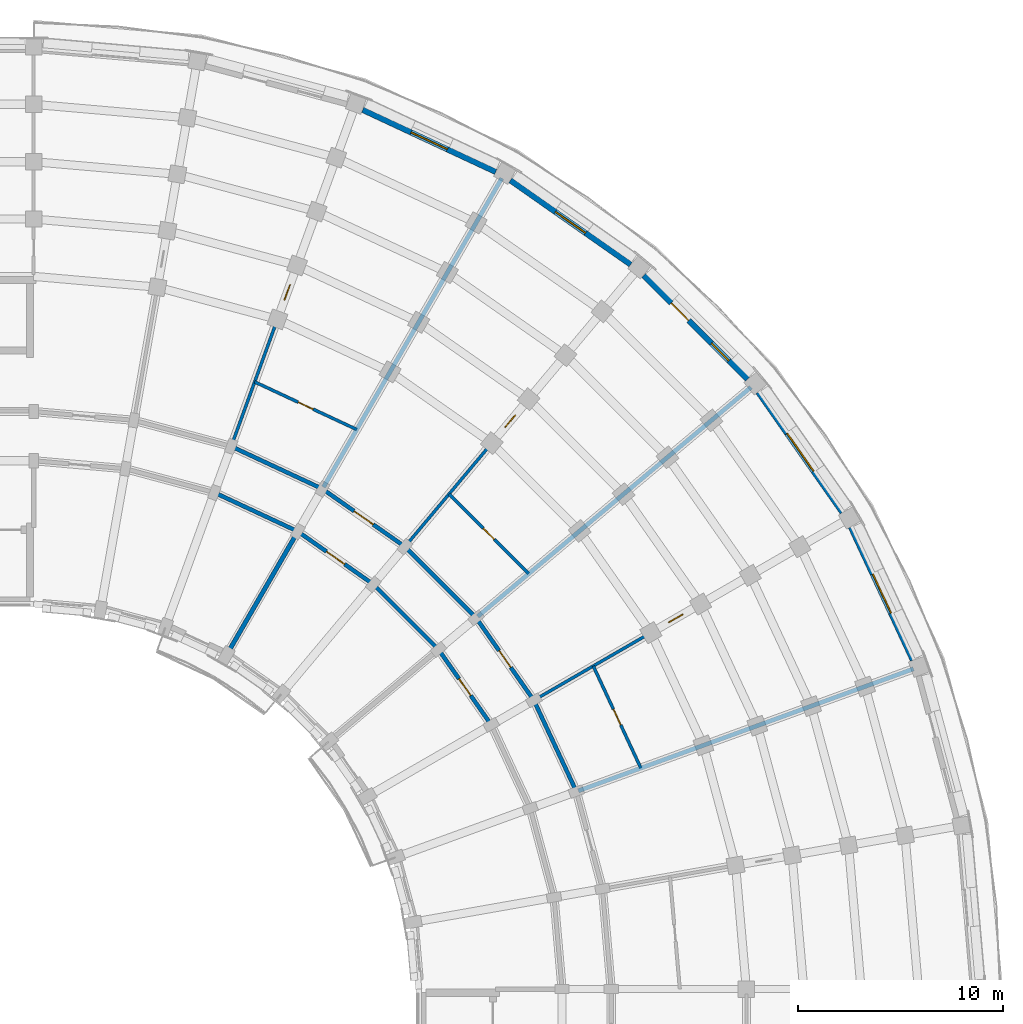
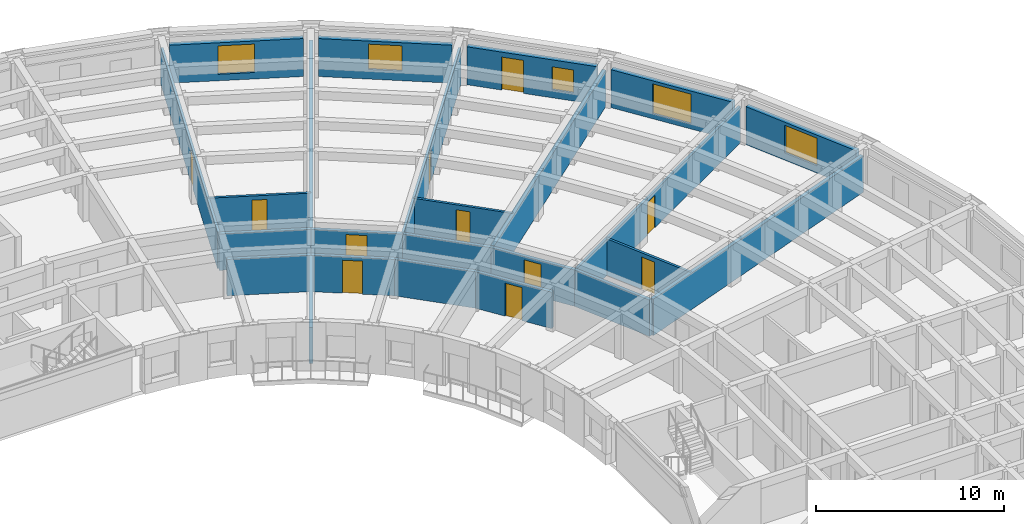
# One storey, part 33 of 54: 24 walls, 11 doors, 5 windows, 16 openings.
"""IFC4 building model written with IfcOpenShell, lengths in metres."""

from ifc_helpers import new_model, si_unit, direction, frame, frame_2d, origin, place, context, subcontext, project, spatial, rectangle, extrude, material, layer, layer_set, type_object, element, fill, save


model = new_model("IFC4")

# Units and contexts
model_context = context("Model", 3, precision=1e-05, world=origin(), true_north=direction((0.0, 1.0)))
body_context = subcontext(model_context, "Body", "Model", "MODEL_VIEW")
ifc_project = project(units=[si_unit("LENGTHUNIT", "METRE"), si_unit("AREAUNIT", "SQUARE_METRE"), si_unit("VOLUMEUNIT", "CUBIC_METRE"), si_unit("PLANEANGLEUNIT", "RADIAN"), si_unit("MASSUNIT", "GRAM", prefix="KILO")], contexts=[model_context])

# Site, building, storey
site_placement = place(None, origin())
site = spatial("IfcSite", under=ifc_project, at=site_placement, CompositionType="ELEMENT")
building_placement = place(site_placement, origin())
building = spatial("IfcBuilding", under=site, at=building_placement, Name="Kiranvali Square Residences", CompositionType="ELEMENT")
storey_placement = place(building_placement, frame((0.0, 0.0, 15.0)))
storey = spatial("IfcBuildingStorey", under=building, at=storey_placement, Name="L04", CompositionType="ELEMENT", Elevation=15.0)

# Walls
ifc_material_1 = material(Name="Autoclaved aerated concrete blockwork masonry", Category="masonry")
ifc_layer_1 = layer(ifc_material_1, 0.199951171875)
ifc_layer_set_1 = layer_set([ifc_layer_1], Name="Autoclaved aerated concrete blockwork masonry")
wall_type_1 = type_object("IfcWallType", Name="WL-COR-200", PredefinedType="STANDARD", material=ifc_layer_set_1)
wall_1_placement = place(storey_placement, frame((128.6240234375, 112.044189453125, 0.0), z_axis=(0.0, 0.0, 1.0), x_axis=(0.906307919131, -0.422617978463, 0.0)))
element("IfcWall", 1, at=wall_1_placement, inside=storey, type_object=wall_type_1, Name="L04 architectural wall WL-L04-B-CCI-2", PredefinedType="STANDARD", context=body_context, shape_type="SweptSolid", body=[
    extrude(rectangle(XDim=4.497314453125, YDim=0.199951171875, at=frame_2d((2.24853515625, 0.0))), origin(), (0.0, 0.0, 1.0), 2.3720703125),
])
wall_2_placement = place(storey_placement, frame((129.445068359375, 114.29931640625, 0.0), z_axis=(0.0, 0.0, 1.0), x_axis=(0.906302381024, -0.422629854778, 0.0)))
element("IfcWall", 2, at=wall_2_placement, inside=storey, type_object=wall_type_1, Name="L04 architectural wall WL-L04-B-CCO-2", PredefinedType="STANDARD", context=body_context, shape_type="SweptSolid", body=[
    extrude(rectangle(XDim=4.915283203125, YDim=0.199951171875, at=frame_2d((2.45751953125, 0.0))), origin(), (0.0, 0.0, 1.0), 2.3720703125),
])

# Wall, opening, door
wall_3_placement = place(storey_placement, frame((132.699951171875, 110.1435546875, 0.0), z_axis=(0.0, 0.0, 1.0), x_axis=(0.819155404658, -0.573571637217, 0.0)))
wall_3 = element("IfcWall", 3, at=wall_3_placement, inside=storey, type_object=wall_type_1, Name="L04 architectural wall WL-L04-B-CCI-3", PredefinedType="STANDARD", context=body_context, shape_type="SweptSolid", body=[
    extrude(rectangle(XDim=4.497314453125, YDim=0.199951171875, at=frame_2d((2.24853515625, 0.0))), origin(), (0.0, 0.0, 1.0), 2.3720703125),
])
opening_1_placement = place(wall_3_placement, frame((1.708740234375, 0.0, 0.0)))
opening_1 = element("IfcOpeningElement", 4, at=opening_1_placement, cuts=wall_3, Name="Opening FD-APT-60C", PredefinedType="OPENING", context=body_context, shape_type="SweptSolid", body=[
    extrude(rectangle(XDim=1.080078125, YDim=2.14990234375, at=frame_2d((0.5400390625, 1.074951171875))), frame((0.0, 0.10986328125, 0.0), z_axis=(0.0, -1.0, 0.0), x_axis=(1.0, 0.0, 0.0)), (0.0, 0.0, 1.0), 0.219970703125),
])
ifc_material_2 = material(Name="Fire-rated acoustic hardwood and mineral-core door assembly", Category="wood")
door_type_1 = type_object("IfcDoorType", Name="DR-APT-1080", OperationType="NOTDEFINED", PredefinedType="DOOR", material=ifc_material_2)
door_1_placement = place(opening_1_placement, origin())
door_1 = element("IfcDoor", 5, at=door_1_placement, inside=storey, type_object=door_type_1, Name="L04 door DR-L04-1237 (DR-APT-1080)", OperationType="SINGLE_SWING_LEFT", OverallHeight=2.14990234375, OverallWidth=1.080078125, PredefinedType="DOOR", context=body_context, shape_type="SweptSolid", body=[
    extrude(rectangle(XDim=1.080078125, YDim=2.14990234375, at=frame_2d((0.5400390625, 1.074951171875))), frame((0.0, 0.02490234375, 0.0), z_axis=(0.0, -1.0, 0.0), x_axis=(1.0, 0.0, 0.0)), (0.0, 0.0, 1.0), 0.050048828125),
])
fill(opening_1, door_1)

wall_4_placement = place(storey_placement, frame((133.89990234375, 112.221923828125, 0.0), z_axis=(0.0, 0.0, 1.0), x_axis=(0.819140911474, -0.573592335331, 0.0)))
wall_4 = element("IfcWall", 6, at=wall_4_placement, inside=storey, type_object=wall_type_1, Name="L04 architectural wall WL-L04-B-CCO-3", PredefinedType="STANDARD", context=body_context, shape_type="SweptSolid", body=[
    extrude(rectangle(XDim=4.915771484375, YDim=0.199951171875, at=frame_2d((2.4580078125, 0.0))), origin(), (0.0, 0.0, 1.0), 2.3720703125),
])
opening_2_placement = place(wall_4_placement, frame((1.8876953125, 0.0, 0.0)))
opening_2 = element("IfcOpeningElement", 7, at=opening_2_placement, cuts=wall_4, Name="Opening FD-APT-60D", PredefinedType="OPENING", context=body_context, shape_type="SweptSolid", body=[
    extrude(rectangle(XDim=1.139892578125, YDim=2.14990234375, at=frame_2d((0.56982421875, 1.074951171875))), frame((0.0, 0.10986328125, 0.0), z_axis=(0.0, -1.0, 0.0), x_axis=(1.0, 0.0, 0.0)), (0.0, 0.0, 1.0), 0.219970703125),
])
door_type_2 = type_object("IfcDoorType", Name="DR-APT-1140", OperationType="NOTDEFINED", PredefinedType="DOOR", material=ifc_material_2)
door_2_placement = place(opening_2_placement, frame((1.139892578125, 0.0, 0.0), z_axis=(0.0, 0.0, 1.0), x_axis=(-1.0, 0.0, 0.0)))
door_2 = element("IfcDoor", 8, at=door_2_placement, inside=storey, type_object=door_type_2, Name="L04 door DR-L04-1230 (DR-APT-1140)", OperationType="SINGLE_SWING_RIGHT", OverallHeight=2.14990234375, OverallWidth=1.139892578125, PredefinedType="DOOR", context=body_context, shape_type="SweptSolid", body=[
    extrude(rectangle(XDim=1.139892578125, YDim=2.14990234375, at=frame_2d((0.56982421875, 1.074951171875))), frame((0.0, 0.02490234375, 0.0), z_axis=(0.0, -1.0, 0.0), x_axis=(1.0, 0.0, 0.0)), (0.0, 0.0, 1.0), 0.050048828125),
])
fill(opening_2, door_2)

# Walls
wall_5_placement = place(storey_placement, frame((136.384033203125, 107.56396484375, 0.0), z_axis=(0.0, 0.0, 1.0), x_axis=(0.707106781187, -0.707106781187, 0.0)))
element("IfcWall", 9, at=wall_5_placement, inside=storey, type_object=wall_type_1, Name="L04 architectural wall WL-L04-B-CCI-4", PredefinedType="STANDARD", context=body_context, shape_type="SweptSolid", body=[
    extrude(rectangle(XDim=4.4970703125, YDim=0.199951171875, at=frame_2d((2.24853515625, 0.0))), origin(), (0.0, 0.0, 1.0), 2.3720703125),
])
wall_6_placement = place(storey_placement, frame((137.926513671875, 109.40234375, 0.0), z_axis=(0.0, 0.0, 1.0), x_axis=(0.707106781187, -0.707106781187, 0.0)))
element("IfcWall", 10, at=wall_6_placement, inside=storey, type_object=wall_type_1, Name="L04 architectural wall WL-L04-B-CCO-4", PredefinedType="STANDARD", context=body_context, shape_type="SweptSolid", body=[
    extrude(rectangle(XDim=4.91552734375, YDim=0.199951171875, at=frame_2d((2.457763671875, 0.0))), origin(), (0.0, 0.0, 1.0), 2.3720703125),
])

# Wall, opening, door
wall_7_placement = place(storey_placement, frame((139.56396484375, 104.384033203125, 0.0), z_axis=(0.0, 0.0, 1.0), x_axis=(0.573571637217, -0.819155404658, 0.0)))
wall_7 = element("IfcWall", 11, at=wall_7_placement, inside=storey, type_object=wall_type_1, Name="L04 architectural wall WL-L04-B-CCI-5", PredefinedType="STANDARD", context=body_context, shape_type="SweptSolid", body=[
    extrude(rectangle(XDim=4.497314453125, YDim=0.199951171875, at=frame_2d((2.24853515625, 0.0))), origin(), (0.0, 0.0, 1.0), 2.3720703125),
])
opening_3_placement = place(wall_7_placement, frame((1.74853515625, 0.0, 0.0)))
opening_3 = element("IfcOpeningElement", 12, at=opening_3_placement, cuts=wall_7, Name="Opening FD-APT-60", PredefinedType="OPENING", context=body_context, shape_type="SweptSolid", body=[
    extrude(rectangle(XDim=1.0, YDim=2.14990234375, at=frame_2d((0.5, 1.074951171875))), frame((0.0, 0.10986328125, 0.0), z_axis=(0.0, -1.0, 0.0), x_axis=(1.0, 0.0, 0.0)), (0.0, 0.0, 1.0), 0.219970703125),
])
door_type_3 = type_object("IfcDoorType", Name="DR-APT-1000", OperationType="NOTDEFINED", PredefinedType="DOOR", material=ifc_material_2)
door_3_placement = place(opening_3_placement, frame((1.0, 0.0, 0.0), z_axis=(0.0, 0.0, 1.0), x_axis=(-1.0, 0.0, 0.0)))
door_3 = element("IfcDoor", 13, at=door_3_placement, inside=storey, type_object=door_type_3, Name="L04 door DR-L04-1238 (DR-APT-1000)", OperationType="SINGLE_SWING_RIGHT", OverallHeight=2.14990234375, OverallWidth=1.0, PredefinedType="DOOR", context=body_context, shape_type="SweptSolid", body=[
    extrude(rectangle(XDim=1.0, YDim=2.14990234375, at=frame_2d((0.5, 1.074951171875))), frame((0.0, 0.02490234375, 0.0), z_axis=(0.0, -1.0, 0.0), x_axis=(1.0, 0.0, 0.0)), (0.0, 0.0, 1.0), 0.050048828125),
])
fill(opening_3, door_3)

wall_8_placement = place(storey_placement, frame((141.40234375, 105.926513671875, 0.0), z_axis=(0.0, 0.0, 1.0), x_axis=(0.573592335331, -0.819140911474, 0.0)))
wall_8 = element("IfcWall", 14, at=wall_8_placement, inside=storey, type_object=wall_type_1, Name="L04 architectural wall WL-L04-B-CCO-5", PredefinedType="STANDARD", context=body_context, shape_type="SweptSolid", body=[
    extrude(rectangle(XDim=4.915771484375, YDim=0.199951171875, at=frame_2d((2.4580078125, 0.0))), origin(), (0.0, 0.0, 1.0), 2.3720703125),
])
opening_4_placement = place(wall_8_placement, frame((1.957763671875, 0.0, 0.0)))
opening_4 = element("IfcOpeningElement", 15, at=opening_4_placement, cuts=wall_8, Name="Opening FD-APT-60", PredefinedType="OPENING", context=body_context, shape_type="SweptSolid", body=[
    extrude(rectangle(XDim=1.0, YDim=2.14990234375, at=frame_2d((0.5, 1.074951171875))), frame((0.0, 0.10986328125, 0.0), z_axis=(0.0, -1.0, 0.0), x_axis=(1.0, 0.0, 0.0)), (0.0, 0.0, 1.0), 0.219970703125),
])
door_4_placement = place(opening_4_placement, frame((1.0, 0.0, 0.0), z_axis=(0.0, 0.0, 1.0), x_axis=(-1.0, 0.0, 0.0)))
door_4 = element("IfcDoor", 16, at=door_4_placement, inside=storey, type_object=door_type_3, Name="L04 door DR-L04-1232 (DR-APT-1000)", OperationType="SINGLE_SWING_RIGHT", OverallHeight=2.14990234375, OverallWidth=1.0, PredefinedType="DOOR", context=body_context, shape_type="SweptSolid", body=[
    extrude(rectangle(XDim=1.0, YDim=2.14990234375, at=frame_2d((0.5, 1.074951171875))), frame((0.0, 0.02490234375, 0.0), z_axis=(0.0, -1.0, 0.0), x_axis=(1.0, 0.0, 0.0)), (0.0, 0.0, 1.0), 0.050048828125),
])
fill(opening_4, door_4)

# Walls
wall_9_placement = place(storey_placement, frame((144.221923828125, 101.89990234375, 0.0), z_axis=(0.0, 0.0, 1.0), x_axis=(0.422629854778, -0.906302381024, 0.0)))
element("IfcWall", 17, at=wall_9_placement, inside=storey, type_object=wall_type_1, Name="L04 architectural wall WL-L04-B-CCO-6", PredefinedType="STANDARD", context=body_context, shape_type="SweptSolid", body=[
    extrude(rectangle(XDim=4.915283203125, YDim=0.199951171875, at=frame_2d((2.45751953125, 0.0))), origin(), (0.0, 0.0, 1.0), 2.3720703125),
])
ifc_layer_2 = layer(ifc_material_1, 0.219970703125)
ifc_layer_set_2 = layer_set([ifc_layer_2], Name="Autoclaved aerated concrete blockwork masonry")
wall_type_2 = type_object("IfcWallType", Name="WL-DEM-220", PredefinedType="STANDARD", material=ifc_layer_set_2)
wall_10_placement = place(storey_placement, frame((129.300048828125, 104.25439453125, 0.0), z_axis=(0.0, 0.0, 1.0), x_axis=(0.499997969693, 0.866026575979, 0.0)))
element("IfcWall", 18, at=wall_10_placement, inside=storey, type_object=wall_type_2, Name="L04 architectural wall WL-L04-B-RADI-3", PredefinedType="STANDARD", context=body_context, shape_type="SweptSolid", body=[
    extrude(rectangle(XDim=6.75, YDim=0.219970703125, at=frame_2d((3.375, 0.0))), origin(), (0.0, 0.0, 1.0), 2.3720703125),
])
for number, where, z_axis, x_axis, name in (
    (19, (133.949951171875, 112.30859375, 0.0), (0.0, 0.0, 1.0), (0.499997843263, 0.866026648973, 0.0), "L04 architectural wall WL-L04-B-RADO-3"),
    (20, (141.47900390625, 105.990966796875, 0.0), (0.0, 0.0, 1.0), (0.766046835987, 0.642784757967, 0.0), "L04 architectural wall WL-L04-B-RADO-5"),
    (21, (146.393310546875, 97.479248046875, 0.0), (0.0, 0.0, 1.0), (0.939691901159, 0.342022120477, 0.0), "L04 architectural wall WL-L04-B-RADO-7"),
):
    element("IfcWall", number, at=place(storey_placement, frame(where, z_axis=z_axis, x_axis=x_axis)), inside=storey, type_object=wall_type_2, Name=name, PredefinedType="STANDARD", context=body_context, shape_type="SweptSolid", body=[
        extrude(rectangle(XDim=17.419921875, YDim=0.219970703125, at=frame_2d((8.7099609375, 0.0))), origin(), (0.0, 0.0, 1.0), 2.3720703125),
    ])

# Wall, opening, window
ifc_material_3 = material(Name="Breathable lime-rendered clay brick masonry", Category="masonry")
ifc_layer_3 = layer(ifc_material_3, 0.27490234375)
ifc_layer_set_3 = layer_set([ifc_layer_3], Name="Breathable lime-rendered clay brick masonry")
wall_type_3 = type_object("IfcWallType", Name="WL-EXT-275", PredefinedType="STANDARD", material=ifc_layer_set_3)
wall_11_placement = place(storey_placement, frame((135.8671875, 130.732177734375, 0.0), z_axis=(0.0, 0.0, 1.0), x_axis=(0.906300636296, -0.422633596215, 0.0)))
wall_11 = element("IfcWall", 22, at=wall_11_placement, inside=storey, type_object=wall_type_3, Name="L04 exterior wall B-L04-CRV-02", PredefinedType="STANDARD", context=body_context, shape_type="SweptSolid", body=[
    extrude(rectangle(XDim=7.164306640625, YDim=0.27490234375, at=frame_2d((3.58203125, 0.0))), origin(), (0.0, 0.0, 1.0), 2.471923828125),
])
opening_5_placement = place(wall_11_placement, frame((2.60693359375, 0.0, 0.422119140625)))
opening_5 = element("IfcOpeningElement", 23, at=opening_5_placement, cuts=wall_11, Name="Opening W-12", PredefinedType="OPENING", context=body_context, shape_type="SweptSolid", body=[
    extrude(rectangle(XDim=1.949951171875, YDim=1.85009765625, at=frame_2d((0.97509765625, 0.925048828125))), frame((0.0, 0.1474609375, 0.0), z_axis=(0.0, -1.0, 0.0), x_axis=(1.0, 0.0, 0.0)), (0.0, 0.0, 1.0), 0.294921875),
])
ifc_material_4 = material(Name="Solar-control low-e double glazing", Category="glass")
window_type_1 = type_object("IfcWindowType", Name="WIN-RES-1950x1850", PartitioningType="DOUBLE_PANEL_VERTICAL", PredefinedType="WINDOW", material=ifc_material_4)
window_1_placement = place(opening_5_placement, origin())
window_1 = element("IfcWindow", 24, at=window_1_placement, inside=storey, type_object=window_type_1, Name="L04 recessed window B-L04-CRV-02", OverallHeight=1.85009765625, OverallWidth=1.949951171875, PartitioningType="DOUBLE_PANEL_VERTICAL", PredefinedType="WINDOW", context=body_context, shape_type="SweptSolid", body=[
    extrude(rectangle(XDim=1.949951171875, YDim=1.85009765625, at=frame_2d((0.97509765625, 0.925048828125))), frame((0.0, 0.030029296875, 0.0), z_axis=(0.0, -1.0, 0.0), x_axis=(1.0, 0.0, 0.0)), (0.0, 0.0, 1.0), 0.06005859375),
])
fill(opening_5, window_1)

wall_12_placement = place(storey_placement, frame((143.078125, 127.289794921875, 0.0), z_axis=(0.0, 0.0, 1.0), x_axis=(0.819161471697, -0.573562972382, 0.0)))
wall_12 = element("IfcWall", 25, at=wall_12_placement, inside=storey, type_object=wall_type_3, Name="L04 exterior wall B-L04-CRV-03", PredefinedType="STANDARD", context=body_context, shape_type="SweptSolid", body=[
    extrude(rectangle(XDim=7.164306640625, YDim=0.27490234375, at=frame_2d((3.58203125, 0.0))), origin(), (0.0, 0.0, 1.0), 2.471923828125),
])
opening_6_placement = place(wall_12_placement, frame((2.68212890625, 0.0, 0.6220703125)))
opening_6 = element("IfcOpeningElement", 26, at=opening_6_placement, cuts=wall_12, Name="Opening W-04", PredefinedType="OPENING", context=body_context, shape_type="SweptSolid", body=[
    extrude(rectangle(XDim=1.800048828125, YDim=1.64990234375, at=frame_2d((0.89990234375, 0.824951171875))), frame((0.0, 0.1474609375, 0.0), z_axis=(0.0, -1.0, 0.0), x_axis=(1.0, 0.0, 0.0)), (0.0, 0.0, 1.0), 0.294921875),
])
window_type_2 = type_object("IfcWindowType", Name="WIN-RES-1800x1650", PartitioningType="DOUBLE_PANEL_VERTICAL", PredefinedType="WINDOW", material=ifc_material_4)
window_2_placement = place(opening_6_placement, origin())
window_2 = element("IfcWindow", 27, at=window_2_placement, inside=storey, type_object=window_type_2, Name="L04 recessed window B-L04-CRV-03", OverallHeight=1.64990234375, OverallWidth=1.800048828125, PartitioningType="DOUBLE_PANEL_VERTICAL", PredefinedType="WINDOW", context=body_context, shape_type="SweptSolid", body=[
    extrude(rectangle(XDim=1.800048828125, YDim=1.64990234375, at=frame_2d((0.89990234375, 0.824951171875))), frame((0.0, 0.030029296875, 0.0), z_axis=(0.0, -1.0, 0.0), x_axis=(1.0, 0.0, 0.0)), (0.0, 0.0, 1.0), 0.06005859375),
])
fill(opening_6, window_2)

# Wall, openings, door, window
wall_13_placement = place(storey_placement, frame((149.581787109375, 122.647705078125, 0.0), z_axis=(0.0, 0.0, 1.0), x_axis=(0.707106781187, -0.707106781187, 0.0)))
wall_13 = element("IfcWall", 28, at=wall_13_placement, inside=storey, type_object=wall_type_3, Name="L04 exterior wall B-L04-CRV-04", PredefinedType="STANDARD", context=body_context, shape_type="SweptSolid", body=[
    extrude(rectangle(XDim=7.164306640625, YDim=0.27490234375, at=frame_2d((3.58203125, 0.0))), origin(), (0.0, 0.0, 1.0), 2.471923828125),
])
opening_7_placement = place(wall_13_placement, frame((4.6904296875, 0.0, 0.52197265625)))
opening_7 = element("IfcOpeningElement", 29, at=opening_7_placement, cuts=wall_13, Name="Opening W-06", PredefinedType="OPENING", context=body_context, shape_type="SweptSolid", body=[
    extrude(rectangle(XDim=1.199951171875, YDim=1.5, at=frame_2d((0.60009765625, 0.75))), frame((0.0, 0.1474609375, 0.0), z_axis=(0.0, -1.0, 0.0), x_axis=(1.0, 0.0, 0.0)), (0.0, 0.0, 1.0), 0.294921875),
])
opening_8_placement = place(wall_13_placement, frame((1.907470703125, 0.0, 0.0)))
opening_8 = element("IfcOpeningElement", 30, at=opening_8_placement, cuts=wall_13, Name="Opening ED-BAL-1", PredefinedType="OPENING", context=body_context, shape_type="SweptSolid", body=[
    extrude(rectangle(XDim=1.199951171875, YDim=2.14990234375, at=frame_2d((0.60009765625, 1.074951171875))), frame((0.0, 0.1474609375, 0.0), z_axis=(0.0, -1.0, 0.0), x_axis=(1.0, 0.0, 0.0)), (0.0, 0.0, 1.0), 0.294921875),
])
ifc_material_5 = material(Name="Anodised bronze aluminium framing", Category="aluminium")
door_type_4 = type_object("IfcDoorType", Name="DR-BAL-1200", OperationType="NOTDEFINED", PredefinedType="DOOR", material=ifc_material_5)
door_5_placement = place(opening_8_placement, origin())
door_5 = element("IfcDoor", 31, at=door_5_placement, inside=storey, type_object=door_type_4, Name="L04 balcony terrace door", OperationType="SINGLE_SWING_RIGHT", OverallHeight=2.14990234375, OverallWidth=1.199951171875, PredefinedType="DOOR", context=body_context, shape_type="SweptSolid", body=[
    extrude(rectangle(XDim=1.199951171875, YDim=2.14990234375, at=frame_2d((0.60009765625, 1.074951171875))), frame((0.0, 0.02490234375, 0.0), z_axis=(0.0, -1.0, 0.0), x_axis=(1.0, 0.0, 0.0)), (0.0, 0.0, 1.0), 0.050048828125),
])
fill(opening_8, door_5)
window_type_3 = type_object("IfcWindowType", Name="WIN-RES-1200x1500", PartitioningType="SINGLE_PANEL", PredefinedType="WINDOW", material=ifc_material_4)
window_3_placement = place(opening_7_placement, origin())
window_3 = element("IfcWindow", 32, at=window_3_placement, inside=storey, type_object=window_type_3, Name="L04 recessed window B-L04-CRV-04", OverallHeight=1.5, OverallWidth=1.199951171875, PartitioningType="SINGLE_PANEL", PredefinedType="WINDOW", context=body_context, shape_type="SweptSolid", body=[
    extrude(rectangle(XDim=1.199951171875, YDim=1.5, at=frame_2d((0.60009765625, 0.75))), frame((0.0, 0.030029296875, 0.0), z_axis=(0.0, -1.0, 0.0), x_axis=(1.0, 0.0, 0.0)), (0.0, 0.0, 1.0), 0.06005859375),
])
fill(opening_7, window_3)

# Wall, opening, window
wall_14_placement = place(storey_placement, frame((155.1806640625, 116.94677734375, 0.0), z_axis=(0.0, 0.0, 1.0), x_axis=(0.573562972382, -0.819161471697, 0.0)))
wall_14 = element("IfcWall", 33, at=wall_14_placement, inside=storey, type_object=wall_type_3, Name="L04 exterior wall B-L04-CRV-05", PredefinedType="STANDARD", context=body_context, shape_type="SweptSolid", body=[
    extrude(rectangle(XDim=7.164306640625, YDim=0.27490234375, at=frame_2d((3.58203125, 0.0))), origin(), (0.0, 0.0, 1.0), 2.471923828125),
])
opening_9_placement = place(wall_14_placement, frame((2.45703125, 0.0, 0.322021484375)))
opening_9 = element("IfcOpeningElement", 34, at=opening_9_placement, cuts=wall_14, Name="Opening W-11", PredefinedType="OPENING", context=body_context, shape_type="SweptSolid", body=[
    extrude(rectangle(XDim=2.25, YDim=1.949951171875, at=frame_2d((1.125, 0.97509765625))), frame((0.0, 0.1474609375, 0.0), z_axis=(0.0, -1.0, 0.0), x_axis=(1.0, 0.0, 0.0)), (0.0, 0.0, 1.0), 0.294921875),
])
window_type_4 = type_object("IfcWindowType", Name="WIN-RES-2250x1950", PartitioningType="TRIPLE_PANEL_VERTICAL", PredefinedType="WINDOW", material=ifc_material_4)
window_4_placement = place(opening_9_placement, origin())
window_4 = element("IfcWindow", 35, at=window_4_placement, inside=storey, type_object=window_type_4, Name="L04 recessed window B-L04-CRV-05", OverallHeight=1.949951171875, OverallWidth=2.25, PartitioningType="TRIPLE_PANEL_VERTICAL", PredefinedType="WINDOW", context=body_context, shape_type="SweptSolid", body=[
    extrude(rectangle(XDim=2.25, YDim=1.949951171875, at=frame_2d((1.125, 0.97509765625))), frame((0.0, 0.030029296875, 0.0), z_axis=(0.0, -1.0, 0.0), x_axis=(1.0, 0.0, 0.0)), (0.0, 0.0, 1.0), 0.06005859375),
])
fill(opening_9, window_4)

wall_15_placement = place(storey_placement, frame((159.704345703125, 110.360107421875, 0.0), z_axis=(0.0, 0.0, 1.0), x_axis=(0.422633596215, -0.906300636296, 0.0)))
wall_15 = element("IfcWall", 36, at=wall_15_placement, inside=storey, type_object=wall_type_3, Name="L04 exterior wall B-L04-CRV-06", PredefinedType="STANDARD", context=body_context, shape_type="SweptSolid", body=[
    extrude(rectangle(XDim=7.164306640625, YDim=0.27490234375, at=frame_2d((3.58203125, 0.0))), origin(), (0.0, 0.0, 1.0), 2.471923828125),
])
opening_10_placement = place(wall_15_placement, frame((2.531982421875, 0.0, 0.471923828125)))
opening_10 = element("IfcOpeningElement", 37, at=opening_10_placement, cuts=wall_15, Name="Opening W-03", PredefinedType="OPENING", context=body_context, shape_type="SweptSolid", body=[
    extrude(rectangle(XDim=2.10009765625, YDim=1.800048828125, at=frame_2d((1.050048828125, 0.89990234375))), frame((0.0, 0.1474609375, 0.0), z_axis=(0.0, -1.0, 0.0), x_axis=(1.0, 0.0, 0.0)), (0.0, 0.0, 1.0), 0.294921875),
])
window_type_5 = type_object("IfcWindowType", Name="WIN-RES-2100x1800", PartitioningType="TRIPLE_PANEL_VERTICAL", PredefinedType="WINDOW", material=ifc_material_4)
window_5_placement = place(opening_10_placement, origin())
window_5 = element("IfcWindow", 38, at=window_5_placement, inside=storey, type_object=window_type_5, Name="L04 recessed window B-L04-CRV-06", OverallHeight=1.800048828125, OverallWidth=2.10009765625, PartitioningType="TRIPLE_PANEL_VERTICAL", PredefinedType="WINDOW", context=body_context, shape_type="SweptSolid", body=[
    extrude(rectangle(XDim=2.10009765625, YDim=1.800048828125, at=frame_2d((1.050048828125, 0.89990234375))), frame((0.0, 0.030029296875, 0.0), z_axis=(0.0, -1.0, 0.0), x_axis=(1.0, 0.0, 0.0)), (0.0, 0.0, 1.0), 0.06005859375),
])
fill(opening_10, window_5)

# Wall, opening, door
ifc_material_6 = material(Name="Acoustic gypsum board drylined partition", Category="gypsum")
ifc_layer_4 = layer(ifc_material_6, 0.14990234375)
ifc_layer_set_4 = layer_set([ifc_layer_4], Name="Acoustic gypsum board drylined partition")
wall_type_4 = type_object("IfcWallType", Name="WL-PRT-150", PredefinedType="PARTITIONING", material=ifc_layer_set_4)
wall_16_placement = place(storey_placement, frame((129.479248046875, 114.393310546875, 0.0), z_axis=(0.0, 0.0, 1.0), x_axis=(0.342022120477, 0.939691901159, 0.0)))
wall_16 = element("IfcWall", 39, at=wall_16_placement, inside=storey, type_object=wall_type_4, Name="L04 architectural wall WL-L04-B-RADO-2", PredefinedType="PARTITIONING", context=body_context, shape_type="SweptSolid", body=[
    extrude(rectangle(XDim=17.419921875, YDim=0.14990234375, at=frame_2d((8.7099609375, 0.0))), origin(), (0.0, 0.0, 1.0), 2.3720703125),
])
opening_11_placement = place(wall_16_placement, frame((7.5, 0.0, 0.0)))
opening_11 = element("IfcOpeningElement", 40, at=opening_11_placement, cuts=wall_16, Name="Opening ID-WET", PredefinedType="OPENING", context=body_context, shape_type="SweptSolid", body=[
    extrude(rectangle(XDim=0.800048828125, YDim=2.10009765625, at=frame_2d((0.39990234375, 1.050048828125))), frame((0.0, 0.0849609375, 0.0), z_axis=(0.0, -1.0, 0.0), x_axis=(1.0, 0.0, 0.0)), (0.0, 0.0, 1.0), 0.169921875),
])
ifc_material_7 = material(Name="Solid seasoned teak hardwood joinery", Category="wood")
door_type_5 = type_object("IfcDoorType", Name="DR-WET-800", OperationType="NOTDEFINED", PredefinedType="DOOR", material=ifc_material_7)
door_6_placement = place(opening_11_placement, frame((0.800048828125, 0.0, 0.0), z_axis=(0.0, 0.0, 1.0), x_axis=(-1.0, 0.0, 0.0)))
door_6 = element("IfcDoor", 41, at=door_6_placement, inside=storey, type_object=door_type_5, Name="L04 door DR-L04-1224 (DR-WET-800)", OperationType="SINGLE_SWING_RIGHT", OverallHeight=2.10009765625, OverallWidth=0.800048828125, PredefinedType="DOOR", context=body_context, shape_type="SweptSolid", body=[
    extrude(rectangle(XDim=0.800048828125, YDim=2.10009765625, at=frame_2d((0.39990234375, 1.050048828125))), frame((0.0, 0.02490234375, 0.0), z_axis=(0.0, -1.0, 0.0), x_axis=(1.0, 0.0, 0.0)), (0.0, 0.0, 1.0), 0.050048828125),
])
fill(opening_11, door_6)

wall_17_placement = place(storey_placement, frame((137.990966796875, 109.47900390625, 0.0), z_axis=(0.0, 0.0, 1.0), x_axis=(0.642784757967, 0.766046835987, 0.0)))
wall_17 = element("IfcWall", 42, at=wall_17_placement, inside=storey, type_object=wall_type_4, Name="L04 architectural wall WL-L04-B-RADO-4", PredefinedType="PARTITIONING", context=body_context, shape_type="SweptSolid", body=[
    extrude(rectangle(XDim=17.419921875, YDim=0.14990234375, at=frame_2d((8.7099609375, 0.0))), origin(), (0.0, 0.0, 1.0), 2.3720703125),
])
opening_12_placement = place(wall_17_placement, frame((7.5, 0.0, 0.0)))
opening_12 = element("IfcOpeningElement", 43, at=opening_12_placement, cuts=wall_17, Name="Opening ID-WET", PredefinedType="OPENING", context=body_context, shape_type="SweptSolid", body=[
    extrude(rectangle(XDim=0.800048828125, YDim=2.10009765625, at=frame_2d((0.39990234375, 1.050048828125))), frame((0.0, 0.0849609375, 0.0), z_axis=(0.0, -1.0, 0.0), x_axis=(1.0, 0.0, 0.0)), (0.0, 0.0, 1.0), 0.169921875),
])
door_7_placement = place(opening_12_placement, origin())
door_7 = element("IfcDoor", 44, at=door_7_placement, inside=storey, type_object=door_type_5, Name="L04 door DR-L04-1225 (DR-WET-800)", OperationType="SINGLE_SWING_LEFT", OverallHeight=2.10009765625, OverallWidth=0.800048828125, PredefinedType="DOOR", context=body_context, shape_type="SweptSolid", body=[
    extrude(rectangle(XDim=0.800048828125, YDim=2.10009765625, at=frame_2d((0.39990234375, 1.050048828125))), frame((0.0, 0.02490234375, 0.0), z_axis=(0.0, -1.0, 0.0), x_axis=(1.0, 0.0, 0.0)), (0.0, 0.0, 1.0), 0.050048828125),
])
fill(opening_12, door_7)

wall_18_placement = place(storey_placement, frame((144.30859375, 101.949951171875, 0.0), z_axis=(0.0, 0.0, 1.0), x_axis=(0.866026648973, 0.499997843263, 0.0)))
wall_18 = element("IfcWall", 45, at=wall_18_placement, inside=storey, type_object=wall_type_4, Name="L04 architectural wall WL-L04-B-RADO-6", PredefinedType="PARTITIONING", context=body_context, shape_type="SweptSolid", body=[
    extrude(rectangle(XDim=17.419921875, YDim=0.14990234375, at=frame_2d((8.7099609375, 0.0))), origin(), (0.0, 0.0, 1.0), 2.3720703125),
])
opening_13_placement = place(wall_18_placement, frame((7.5, 0.0, 0.0)))
opening_13 = element("IfcOpeningElement", 46, at=opening_13_placement, cuts=wall_18, Name="Opening ID-WET", PredefinedType="OPENING", context=body_context, shape_type="SweptSolid", body=[
    extrude(rectangle(XDim=0.800048828125, YDim=2.10009765625, at=frame_2d((0.39990234375, 1.050048828125))), frame((0.0, 0.0849609375, 0.0), z_axis=(0.0, -1.0, 0.0), x_axis=(1.0, 0.0, 0.0)), (0.0, 0.0, 1.0), 0.169921875),
])
door_8_placement = place(opening_13_placement, frame((0.800048828125, 0.0, 0.0), z_axis=(0.0, 0.0, 1.0), x_axis=(-1.0, 0.0, 0.0)))
door_8 = element("IfcDoor", 47, at=door_8_placement, inside=storey, type_object=door_type_5, Name="L04 door DR-L04-1226 (DR-WET-800)", OperationType="SINGLE_SWING_RIGHT", OverallHeight=2.10009765625, OverallWidth=0.800048828125, PredefinedType="DOOR", context=body_context, shape_type="SweptSolid", body=[
    extrude(rectangle(XDim=0.800048828125, YDim=2.10009765625, at=frame_2d((0.39990234375, 1.050048828125))), frame((0.0, 0.02490234375, 0.0), z_axis=(0.0, -1.0, 0.0), x_axis=(1.0, 0.0, 0.0)), (0.0, 0.0, 1.0), 0.050048828125),
])
fill(opening_13, door_8)

ifc_layer_5 = layer(ifc_material_1, 0.14990234375)
ifc_layer_set_5 = layer_set([ifc_layer_5], Name="Autoclaved aerated concrete blockwork masonry")
wall_type_5 = type_object("IfcWallType", Name="WL-WET-150", PredefinedType="PLUMBINGWALL", material=ifc_layer_set_5)
wall_19_placement = place(storey_placement, frame((130.5908203125, 117.447265625, 0.0), z_axis=(0.0, 0.0, 1.0), x_axis=(0.906302189986, -0.422630264446, 0.0)))
wall_19 = element("IfcWall", 48, at=wall_19_placement, inside=storey, type_object=wall_type_5, Name="L04 architectural wall WL-L04-B-CWET-2", PredefinedType="PLUMBINGWALL", context=body_context, shape_type="SweptSolid", body=[
    extrude(rectangle(XDim=5.49951171875, YDim=0.14990234375, at=frame_2d((2.749755859375, 0.0))), origin(), (0.0, 0.0, 1.0), 2.3720703125),
])
opening_14_placement = place(wall_19_placement, frame((2.349853515625, 0.0, 0.0)))
opening_14 = element("IfcOpeningElement", 49, at=opening_14_placement, cuts=wall_19, Name="Opening ID-WET", PredefinedType="OPENING", context=body_context, shape_type="SweptSolid", body=[
    extrude(rectangle(XDim=0.800048828125, YDim=2.10009765625, at=frame_2d((0.39990234375, 1.050048828125))), frame((0.0, 0.0849609375, 0.0), z_axis=(0.0, -1.0, 0.0), x_axis=(1.0, 0.0, 0.0)), (0.0, 0.0, 1.0), 0.169921875),
])
door_9_placement = place(opening_14_placement, origin())
door_9 = element("IfcDoor", 50, at=door_9_placement, inside=storey, type_object=door_type_5, Name="L04 door DR-L04-1229 (DR-WET-800)", OperationType="SINGLE_SWING_LEFT", OverallHeight=2.10009765625, OverallWidth=0.800048828125, PredefinedType="DOOR", context=body_context, shape_type="SweptSolid", body=[
    extrude(rectangle(XDim=0.800048828125, YDim=2.10009765625, at=frame_2d((0.39990234375, 1.050048828125))), frame((0.0, 0.02490234375, 0.0), z_axis=(0.0, -1.0, 0.0), x_axis=(1.0, 0.0, 0.0)), (0.0, 0.0, 1.0), 0.050048828125),
])
fill(opening_14, door_9)

wall_20_placement = place(storey_placement, frame((140.079833984375, 111.96875, 0.0), z_axis=(0.0, 0.0, 1.0), x_axis=(0.707106781187, -0.707106781187, 0.0)))
wall_20 = element("IfcWall", 51, at=wall_20_placement, inside=storey, type_object=wall_type_5, Name="L04 architectural wall WL-L04-B-CWET-4", PredefinedType="PLUMBINGWALL", context=body_context, shape_type="SweptSolid", body=[
    extrude(rectangle(XDim=5.499755859375, YDim=0.14990234375, at=frame_2d((2.75, 0.0))), origin(), (0.0, 0.0, 1.0), 2.3720703125),
])
opening_15_placement = place(wall_20_placement, frame((2.369873046875, 0.0, 0.0)))
opening_15 = element("IfcOpeningElement", 52, at=opening_15_placement, cuts=wall_20, Name="Opening ID-WET0", PredefinedType="OPENING", context=body_context, shape_type="SweptSolid", body=[
    extrude(rectangle(XDim=0.760009765625, YDim=2.050048828125, at=frame_2d((0.3798828125, 1.02490234375))), frame((0.0, 0.0849609375, 0.0), z_axis=(0.0, -1.0, 0.0), x_axis=(1.0, 0.0, 0.0)), (0.0, 0.0, 1.0), 0.169921875),
])
door_type_6 = type_object("IfcDoorType", Name="DR-WET-760", OperationType="NOTDEFINED", PredefinedType="DOOR", material=ifc_material_7)
door_10_placement = place(opening_15_placement, origin())
door_10 = element("IfcDoor", 53, at=door_10_placement, inside=storey, type_object=door_type_6, Name="L04 door DR-L04-1231 (DR-WET-760)", OperationType="SINGLE_SWING_LEFT", OverallHeight=2.050048828125, OverallWidth=0.760009765625, PredefinedType="DOOR", context=body_context, shape_type="SweptSolid", body=[
    extrude(rectangle(XDim=0.760009765625, YDim=2.050048828125, at=frame_2d((0.3798828125, 1.02490234375))), frame((0.0, 0.02490234375, 0.0), z_axis=(0.0, -1.0, 0.0), x_axis=(1.0, 0.0, 0.0)), (0.0, 0.0, 1.0), 0.050048828125),
])
fill(opening_15, door_10)

wall_21_placement = place(storey_placement, frame((147.123046875, 103.574951171875, 0.0), z_axis=(0.0, 0.0, 1.0), x_axis=(0.422630264446, -0.906302189986, 0.0)))
wall_21 = element("IfcWall", 54, at=wall_21_placement, inside=storey, type_object=wall_type_5, Name="L04 architectural wall WL-L04-B-CWET-6", PredefinedType="PLUMBINGWALL", context=body_context, shape_type="SweptSolid", body=[
    extrude(rectangle(XDim=5.49951171875, YDim=0.14990234375, at=frame_2d((2.749755859375, 0.0))), origin(), (0.0, 0.0, 1.0), 2.3720703125),
])
opening_16_placement = place(wall_21_placement, frame((2.329833984375, 0.0, 0.0)))
opening_16 = element("IfcOpeningElement", 55, at=opening_16_placement, cuts=wall_21, Name="Opening ID-WET2", PredefinedType="OPENING", context=body_context, shape_type="SweptSolid", body=[
    extrude(rectangle(XDim=0.840087890625, YDim=2.10009765625, at=frame_2d((0.419921875, 1.050048828125))), frame((0.0, 0.0849609375, 0.0), z_axis=(0.0, -1.0, 0.0), x_axis=(1.0, 0.0, 0.0)), (0.0, 0.0, 1.0), 0.169921875),
])
door_type_7 = type_object("IfcDoorType", Name="DR-WET-840", OperationType="NOTDEFINED", PredefinedType="DOOR", material=ifc_material_7)
door_11_placement = place(opening_16_placement, origin())
door_11 = element("IfcDoor", 56, at=door_11_placement, inside=storey, type_object=door_type_7, Name="L04 door DR-L04-1233 (DR-WET-840)", OperationType="SINGLE_SWING_LEFT", OverallHeight=2.10009765625, OverallWidth=0.840087890625, PredefinedType="DOOR", context=body_context, shape_type="SweptSolid", body=[
    extrude(rectangle(XDim=0.840087890625, YDim=2.10009765625, at=frame_2d((0.419921875, 1.050048828125))), frame((0.0, 0.02490234375, 0.0), z_axis=(0.0, -1.0, 0.0), x_axis=(1.0, 0.0, 0.0)), (0.0, 0.0, 1.0), 0.050048828125),
])
fill(opening_16, door_11)

save(model, "model.ifc")
